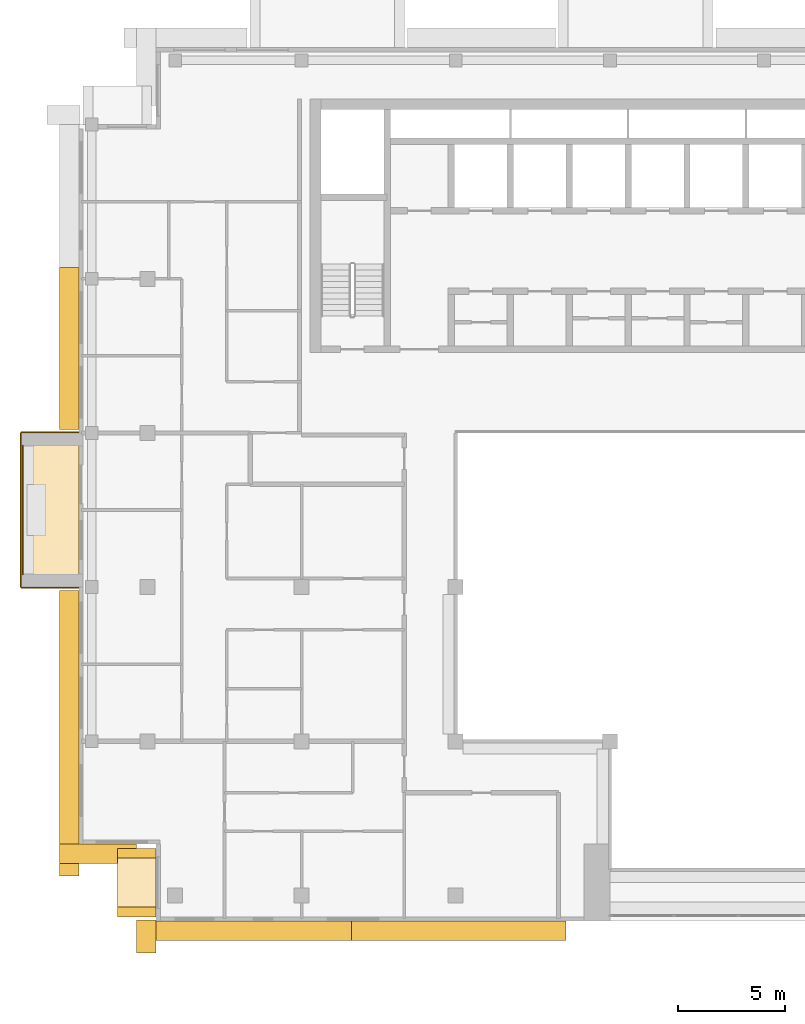
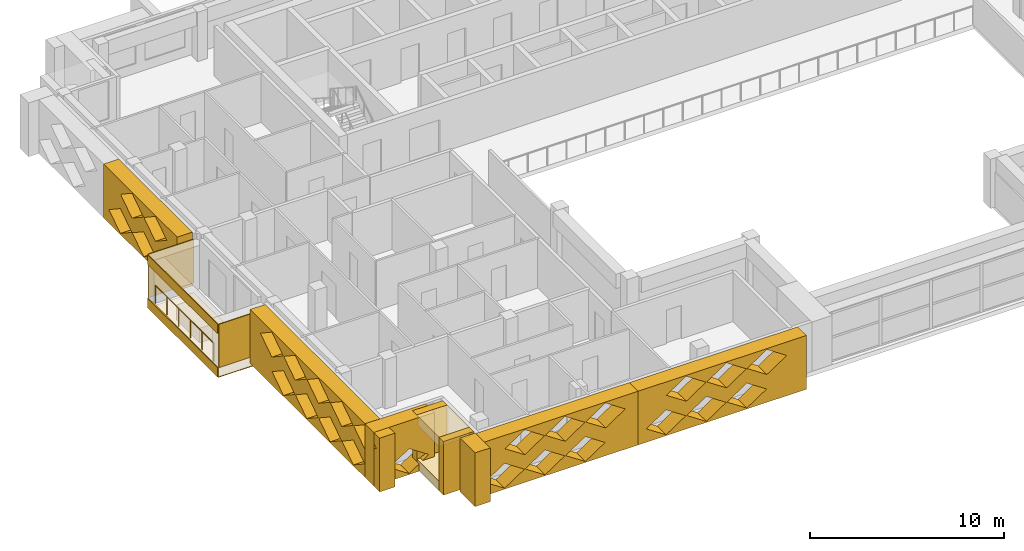
# One storey, part 13 of 19: 15 coverings, 1 railing.
"""IFC4 building model written with IfcOpenShell, lengths in metres."""

from ifc_helpers import new_model, si_unit, direction, frame, origin, origin_2d, place, context, subcontext, project, spatial, polyline, circle, outline, extrude, material, layer, layer_set, type_object, element, save


model = new_model("IFC4")

# Units and contexts
model_context = context("Model", 3, precision=1e-05, world=origin(), true_north=direction((0.0, 1.0)))
body_context = subcontext(model_context, "Body", "Model", "MODEL_VIEW")
ifc_project = project(units=[si_unit("LENGTHUNIT", "METRE"), si_unit("AREAUNIT", "SQUARE_METRE"), si_unit("VOLUMEUNIT", "CUBIC_METRE"), si_unit("PLANEANGLEUNIT", "RADIAN"), si_unit("MASSUNIT", "GRAM", prefix="KILO")], contexts=[model_context])

# Site, building, storey
site_placement = place(None, origin())
site = spatial("IfcSite", under=ifc_project, at=site_placement, CompositionType="ELEMENT")
building_placement = place(site_placement, origin())
building = spatial("IfcBuilding", under=site, at=building_placement, Name="Saffron Iwan Residences", CompositionType="ELEMENT")
storey_placement = place(building_placement, frame((0.0, 0.0, 267.5)))
storey = spatial("IfcBuildingStorey", under=building, at=storey_placement, Name="L72", CompositionType="ELEMENT", Elevation=267.5)

# Railing
ifc_material_1 = material(Name="Stainless steel 316", Category="steel")
railing_type = type_object("IfcRailingType", Name="BALCONY GUARD 1150", PredefinedType="GUARDRAIL", material=ifc_material_1)
railing_placement = place(storey_placement, frame((15.77490234375, 61.800048828125, 0.0)))
element("IfcRailing", 1, at=railing_placement, inside=storey, type_object=railing_type, Name="Balcony guard L72 F8-0", PredefinedType="GUARDRAIL", context=body_context, shape_type="SweptSolid", body=[
    extrude(circle(Radius=0.02392578125, at=origin_2d()), frame((0.0, 0.0, 1.1259765625), z_axis=(0.0, -1.0, 0.0), x_axis=(1.0, 0.0, 0.0)), (0.0, 0.0, 1.0), 6.0),
    extrude(circle(Radius=0.02099609375, at=origin_2d()), origin(), (0.0, 0.0, 1.0), 1.101806640625),
    extrude(circle(Radius=0.02099609375, at=origin_2d()), frame((0.0, -1.199951171875, 0.0)), (0.0, 0.0, 1.0), 1.101806640625),
    extrude(circle(Radius=0.02099609375, at=origin_2d()), frame((0.0, -2.39990234375, 0.0)), (0.0, 0.0, 1.0), 1.101806640625),
    extrude(circle(Radius=0.02099609375, at=origin_2d()), frame((0.0, -3.60009765625, 0.0)), (0.0, 0.0, 1.0), 1.101806640625),
    extrude(circle(Radius=0.02099609375, at=origin_2d()), frame((0.0, -4.800048828125, 0.0)), (0.0, 0.0, 1.0), 1.101806640625),
    extrude(circle(Radius=0.02099609375, at=origin_2d()), frame((0.0, -6.0, 0.0)), (0.0, 0.0, 1.0), 1.101806640625),
])

# Coverings
ifc_material_2 = material(Name="Precast concrete C40/50 white painted", Category="concrete")
ifc_layer = layer(ifc_material_2, 0.050048828125)
ifc_layer_set = layer_set([ifc_layer], Name="Precast concrete C40/50 white painted")
covering_type_1 = type_object("IfcCoveringType", Name="FRAME SKIN PRECAST WHITE 50", PredefinedType="CLADDING", material=ifc_layer_set)
for number, where, name in (
    (2, (0.0, 0.0, -0.60009765625), "Frame skin slab edge L72 F8-0"),
    (3, (0.0, 0.0, 2.12890625), "Frame skin fascia L72 F8-0"),
):
    element("IfcCovering", number, at=place(storey_placement, frame(where)), inside=storey, type_object=covering_type_1, Name=name, PredefinedType="CLADDING", context=body_context, shape_type="SweptSolid", body=[
        extrude(outline(polyline([(15.64990234375, 62.39990234375), (15.64990234375, 55.199951171875), (15.699951171875, 55.199951171875), (15.699951171875, 62.39990234375), (15.64990234375, 62.39990234375)])), origin(), (0.0, 0.0, 1.0), 0.60009765625),
    ])
covering_1_placement = place(storey_placement, frame((0.0, 0.0, -0.64990234375)))
element("IfcCovering", 4, at=covering_1_placement, inside=storey, type_object=covering_type_1, Name="Frame skin soffit L72 F8-0", PredefinedType="CLADDING", context=body_context, shape_type="SweptSolid", body=[
    extrude(outline(polyline([(15.699951171875, 62.39990234375), (15.699951171875, 55.199951171875), (18.39990234375, 55.199951171875), (18.39990234375, 62.39990234375), (15.699951171875, 62.39990234375)])), origin(), (0.0, 0.0, 1.0), 0.0498046875),
])
covering_2_placement = place(storey_placement, origin())
element("IfcCovering", 5, at=covering_2_placement, inside=storey, type_object=covering_type_1, Name="Frame skin fin L72 F8-0a", PredefinedType="CLADDING", context=body_context, shape_type="SweptSolid", body=[
    extrude(outline(polyline([(15.699951171875, 62.449951171875), (15.699951171875, 62.39990234375), (18.39990234375, 62.39990234375), (18.39990234375, 62.449951171875), (15.699951171875, 62.449951171875)])), origin(), (0.0, 0.0, 1.0), 2.72900390625),
])
covering_3_placement = place(storey_placement, origin())
element("IfcCovering", 6, at=covering_3_placement, inside=storey, type_object=covering_type_1, Name="Frame skin fin L72 F8-0b", PredefinedType="CLADDING", context=body_context, shape_type="SweptSolid", body=[
    extrude(outline(polyline([(15.699951171875, 55.199951171875), (15.699951171875, 55.14990234375), (18.39990234375, 55.14990234375), (18.39990234375, 55.199951171875), (15.699951171875, 55.199951171875)])), origin(), (0.0, 0.0, 1.0), 2.72900390625),
])
ifc_material_3 = material(Name="Precast concrete C40/50", Category="concrete")
covering_type_2 = type_object("IfcCoveringType", Name="OUTER SKIN LATTICE SCREEN", PredefinedType="CLADDING", material=ifc_material_3)
covering_4_placement = place(storey_placement, frame((18.39990234375, 70.125, -0.280029296875), z_axis=(-1.0, 0.0, 0.0), x_axis=(0.0, -1.0, 0.0)))
element("IfcCovering", 7, at=covering_4_placement, inside=storey, type_object=covering_type_2, Name="OUTER SKIN lattice screen L72 F8.1", PredefinedType="CLADDING", context=body_context, shape_type="SweptSolid", body=[
    extrude(outline(polyline([(0.0, 0.0), (7.574951171875, 0.0), (7.574951171875, 3.37890625), (0.0, 3.37890625), (0.0, 0.0)]), holes=[polyline([(0.544921875, 0.8447265625), (1.72509765625, 0.06005859375), (2.905029296875, 0.8447265625), (1.72509765625, 1.62939453125), (0.544921875, 0.8447265625)]), polyline([(2.945068359375, 0.8447265625), (4.125, 0.06005859375), (5.304931640625, 0.8447265625), (4.125, 1.62939453125), (2.945068359375, 0.8447265625)]), polyline([(1.7451171875, 2.5341796875), (2.925048828125, 1.74951171875), (4.10498046875, 2.5341796875), (2.925048828125, 3.319091796875), (1.7451171875, 2.5341796875)]), polyline([(4.14501953125, 2.5341796875), (5.324951171875, 1.74951171875), (6.5048828125, 2.5341796875), (5.324951171875, 3.319091796875), (4.14501953125, 2.5341796875)])]), origin(), (0.0, 0.0, 1.0), 0.89990234375),
])
covering_5_placement = place(storey_placement, frame((18.39990234375, 55.050048828125, -0.280029296875), z_axis=(-1.0, 0.0, 0.0), x_axis=(0.0, -1.0, 0.0)))
element("IfcCovering", 8, at=covering_5_placement, inside=storey, type_object=covering_type_2, Name="OUTER SKIN lattice screen L72 F8.2", PredefinedType="CLADDING", context=body_context, shape_type="SweptSolid", body=[
    extrude(outline(polyline([(0.0, 0.0), (13.35009765625, 0.0), (13.35009765625, 3.37890625), (0.0, 3.37890625), (0.0, 0.0)]), holes=[polyline([(2.27001953125, 0.8447265625), (3.449951171875, 0.06005859375), (4.6298828125, 0.8447265625), (3.449951171875, 1.62939453125), (2.27001953125, 0.8447265625)]), polyline([(4.669921875, 0.8447265625), (5.85009765625, 0.06005859375), (7.030029296875, 0.8447265625), (5.85009765625, 1.62939453125), (4.669921875, 0.8447265625)]), polyline([(7.070068359375, 0.8447265625), (8.25, 0.06005859375), (9.429931640625, 0.8447265625), (8.25, 1.62939453125), (7.070068359375, 0.8447265625)]), polyline([(9.469970703125, 0.8447265625), (10.64990234375, 0.06005859375), (11.830078125, 0.8447265625), (10.64990234375, 1.62939453125), (9.469970703125, 0.8447265625)]), polyline([(1.070068359375, 2.5341796875), (2.25, 1.74951171875), (3.429931640625, 2.5341796875), (2.25, 3.319091796875), (1.070068359375, 2.5341796875)]), polyline([(3.469970703125, 2.5341796875), (4.64990234375, 1.74951171875), (5.830078125, 2.5341796875), (4.64990234375, 3.319091796875), (3.469970703125, 2.5341796875)]), polyline([(5.8701171875, 2.5341796875), (7.050048828125, 1.74951171875), (8.22998046875, 2.5341796875), (7.050048828125, 3.319091796875), (5.8701171875, 2.5341796875)]), polyline([(8.27001953125, 2.5341796875), (9.449951171875, 1.74951171875), (10.6298828125, 2.5341796875), (9.449951171875, 3.319091796875), (8.27001953125, 2.5341796875)]), polyline([(10.669921875, 2.5341796875), (11.85009765625, 1.74951171875), (13.030029296875, 2.5341796875), (11.85009765625, 3.319091796875), (10.669921875, 2.5341796875)])]), origin(), (0.0, 0.0, 1.0), 0.89990234375),
])
covering_6_placement = place(storey_placement, frame((17.5, 43.199951171875, -0.280029296875), z_axis=(0.0, -1.0, 0.0), x_axis=(1.0, 0.0, 0.0)))
element("IfcCovering", 9, at=covering_6_placement, inside=storey, type_object=covering_type_2, Name="OUTER SKIN lattice screen L72 F9.0", PredefinedType="CLADDING", context=body_context, shape_type="SweptSolid", body=[
    extrude(outline(polyline([(0.0, 0.0), (3.60009765625, 0.0), (3.60009765625, 3.37890625), (0.0, 3.37890625), (0.0, 0.0)]), holes=[polyline([(0.919921875, 0.8447265625), (2.10009765625, 0.06005859375), (3.280029296875, 0.8447265625), (2.10009765625, 1.62939453125), (0.919921875, 0.8447265625)])]), origin(), (0.0, 0.0, 1.0), 0.89990234375),
])
covering_7_placement = place(storey_placement, frame((22.0, 39.64990234375, -0.280029296875), z_axis=(-1.0, 0.0, 0.0), x_axis=(0.0, -1.0, 0.0)))
element("IfcCovering", 10, at=covering_7_placement, inside=storey, type_object=covering_type_2, Name="OUTER SKIN lattice screen L72 F10.0", PredefinedType="CLADDING", context=body_context, shape_type="SweptSolid", body=[
    extrude(outline(polyline([(0.0, 0.0), (1.550048828125, 0.0), (1.550048828125, 3.37890625), (0.0, 3.37890625), (0.0, 0.0)])), origin(), (0.0, 0.0, 1.0), 0.89990234375),
])
covering_8_placement = place(storey_placement, frame((21.10009765625, 39.60009765625, -0.280029296875), z_axis=(0.0, -1.0, 0.0), x_axis=(1.0, 0.0, 0.0)))
element("IfcCovering", 11, at=covering_8_placement, inside=storey, type_object=covering_type_2, Name="OUTER SKIN lattice screen L72 F11.0", PredefinedType="CLADDING", context=body_context, shape_type="SweptSolid", body=[
    extrude(outline(polyline([(0.0, 0.0), (10.02490234375, 0.0), (10.02490234375, 3.37890625), (0.0, 3.37890625), (0.0, 0.0)]), holes=[polyline([(0.919921875, 0.8447265625), (2.10009765625, 0.06005859375), (3.280029296875, 0.8447265625), (2.10009765625, 1.62939453125), (0.919921875, 0.8447265625)]), polyline([(3.320068359375, 0.8447265625), (4.5, 0.06005859375), (5.679931640625, 0.8447265625), (4.5, 1.62939453125), (3.320068359375, 0.8447265625)]), polyline([(5.719970703125, 0.8447265625), (6.89990234375, 0.06005859375), (8.080078125, 0.8447265625), (6.89990234375, 1.62939453125), (5.719970703125, 0.8447265625)]), polyline([(2.1201171875, 2.5341796875), (3.300048828125, 1.74951171875), (4.47998046875, 2.5341796875), (3.300048828125, 3.319091796875), (2.1201171875, 2.5341796875)]), polyline([(4.52001953125, 2.5341796875), (5.699951171875, 1.74951171875), (6.8798828125, 2.5341796875), (5.699951171875, 3.319091796875), (4.52001953125, 2.5341796875)]), polyline([(6.919921875, 2.5341796875), (8.10009765625, 1.74951171875), (9.280029296875, 2.5341796875), (8.10009765625, 3.319091796875), (6.919921875, 2.5341796875)])]), origin(), (0.0, 0.0, 1.0), 0.900146484375),
])
covering_9_placement = place(storey_placement, frame((31.125, 39.60009765625, -0.280029296875), z_axis=(0.0, -1.0, 0.0), x_axis=(1.0, 0.0, 0.0)))
element("IfcCovering", 12, at=covering_9_placement, inside=storey, type_object=covering_type_2, Name="OUTER SKIN lattice screen L72 F11.1", PredefinedType="CLADDING", context=body_context, shape_type="SweptSolid", body=[
    extrude(outline(polyline([(0.0, 0.0), (10.02490234375, 0.0), (10.02490234375, 3.37890625), (0.0, 3.37890625), (0.0, 0.0)]), holes=[polyline([(0.4951171875, 0.8447265625), (1.675048828125, 0.06005859375), (2.85498046875, 0.8447265625), (1.675048828125, 1.62939453125), (0.4951171875, 0.8447265625)]), polyline([(2.89501953125, 0.8447265625), (4.074951171875, 0.06005859375), (5.2548828125, 0.8447265625), (4.074951171875, 1.62939453125), (2.89501953125, 0.8447265625)]), polyline([(5.294921875, 0.8447265625), (6.47509765625, 0.06005859375), (7.655029296875, 0.8447265625), (6.47509765625, 1.62939453125), (5.294921875, 0.8447265625)]), polyline([(1.695068359375, 2.5341796875), (2.875, 1.74951171875), (4.054931640625, 2.5341796875), (2.875, 3.319091796875), (1.695068359375, 2.5341796875)]), polyline([(4.094970703125, 2.5341796875), (5.27490234375, 1.74951171875), (6.455078125, 2.5341796875), (5.27490234375, 3.319091796875), (4.094970703125, 2.5341796875)]), polyline([(6.4951171875, 2.5341796875), (7.675048828125, 1.74951171875), (8.85498046875, 2.5341796875), (7.675048828125, 3.319091796875), (6.4951171875, 2.5341796875)])]), origin(), (0.0, 0.0, 1.0), 0.900146484375),
])
covering_type_3 = type_object("IfcCoveringType", Name="WHITE SUN FRAME PRECAST", PredefinedType="CLADDING", material=ifc_material_2)
for number, where, z_axis, x_axis, name in (
    (13, (22.0, 43.0, -0.280029296875), (-1.0, 0.0, 0.0), (0.0, -1.0, 0.0), "Sun frame L72 F10 0.2a"),
    (14, (22.0, 40.25, -0.280029296875), (-1.0, 0.0, 0.0), (0.0, -1.0, 0.0), "Sun frame L72 F10 0.2b"),
):
    element("IfcCovering", number, at=place(storey_placement, frame(where, z_axis=z_axis, x_axis=x_axis)), inside=storey, type_object=covering_type_3, Name=name, PredefinedType="CLADDING", context=body_context, shape_type="SweptSolid", body=[
        extrude(outline(polyline([(0.0, 0.0), (0.449951171875, 0.0), (0.449951171875, 3.37890625), (0.0, 3.37890625), (0.0, 0.0)])), origin(), (0.0, 0.0, 1.0), 1.800048828125),
    ])
for number, where, z_axis, x_axis, name in (
    (15, (22.0, 42.550048828125, 2.4990234375), (-1.0, 0.0, 0.0), (0.0, -1.0, 0.0), "Sun frame L72 F10 0.2h"),
    (16, (22.0, 42.550048828125, -0.280029296875), (-1.0, 0.0, 0.0), (0.0, -1.0, 0.0), "Sun frame L72 F10 0.2s"),
):
    element("IfcCovering", number, at=place(storey_placement, frame(where, z_axis=z_axis, x_axis=x_axis)), inside=storey, type_object=covering_type_3, Name=name, PredefinedType="CLADDING", context=body_context, shape_type="SweptSolid", body=[
        extrude(outline(polyline([(0.0, 0.0), (2.300048828125, 0.0), (2.300048828125, 0.60009765625), (0.0, 0.60009765625), (0.0, 0.0)])), origin(), (0.0, 0.0, 1.0), 1.800048828125),
    ])

save(model, "model.ifc")
